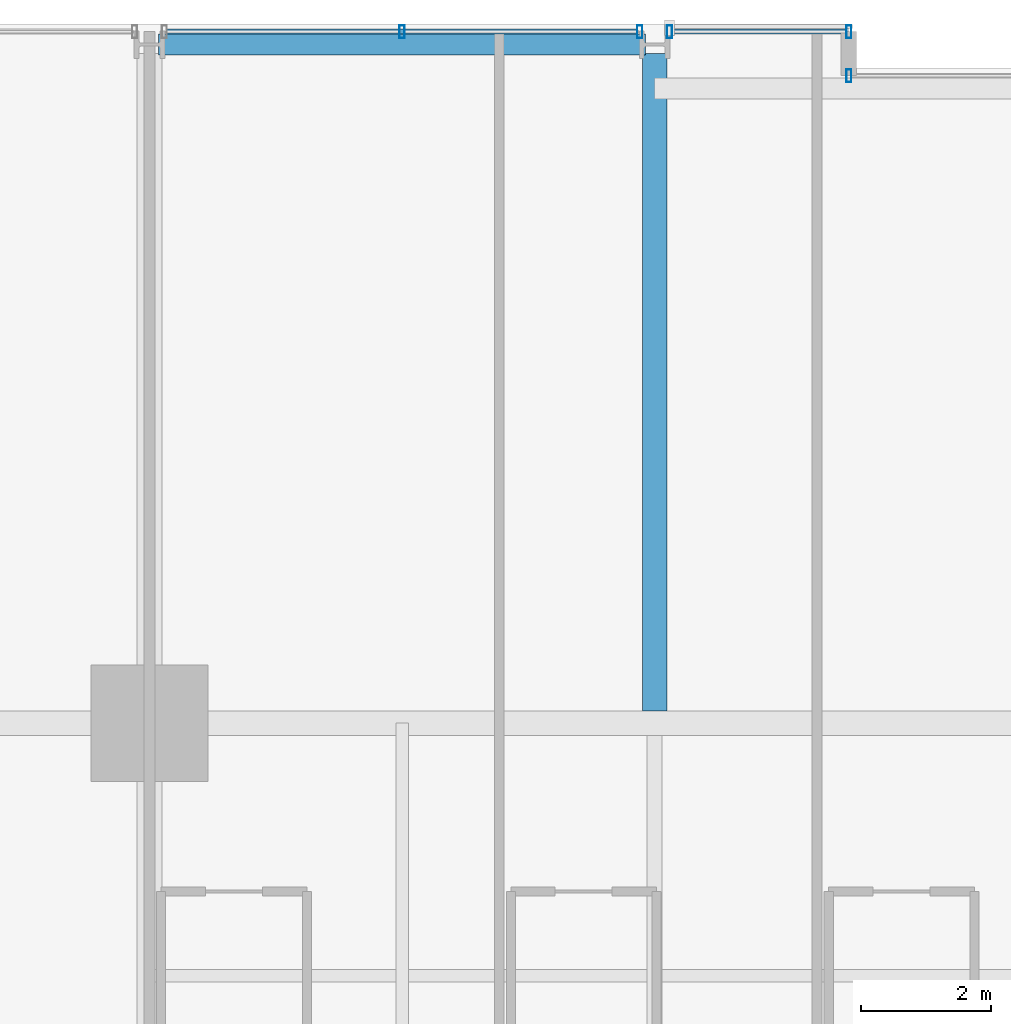
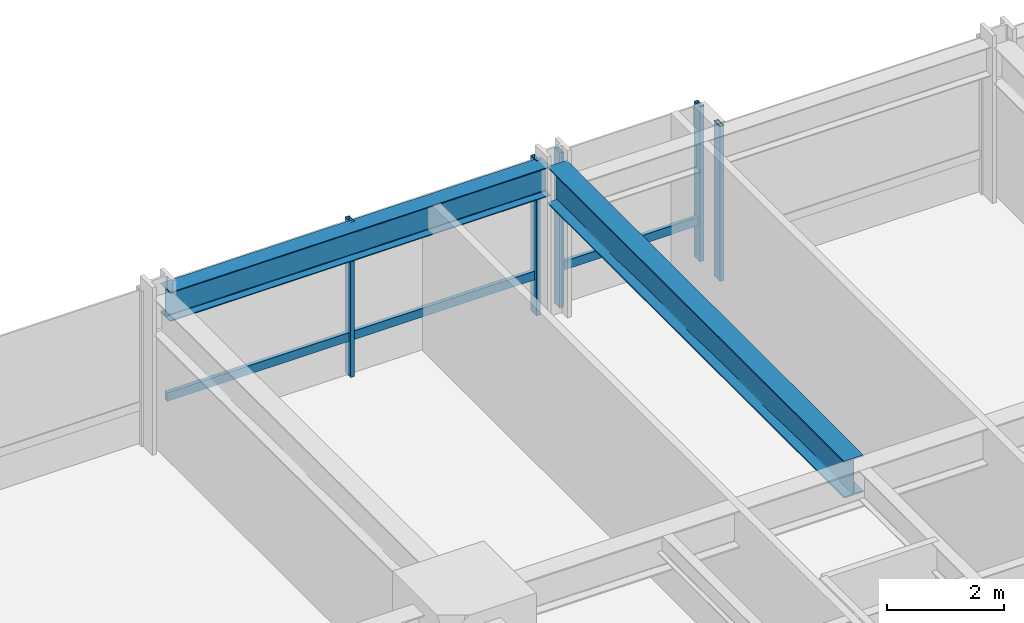
# One storey, part 22 of 38: 7 members, 2 beams, 3 elements without a shape of their own.
"""IFC4 building model written with IfcOpenShell, lengths in metres."""

from ifc_helpers import new_model, si_unit, direction, frame, origin, origin_2d, place, context, subcontext, project, spatial, hollow_rectangle, i_section, extrude, material, layer, layer_set, material_profile, profile_set, type_object, element, aggregate, save


model = new_model("IFC4")

# Units and contexts
model_context = context("Model", 3, precision=1e-05, world=origin(), true_north=direction((0.0, 1.0)))
body_context = subcontext(model_context, "Body", "Model", "MODEL_VIEW")
ifc_project = project(units=[si_unit("LENGTHUNIT", "METRE"), si_unit("AREAUNIT", "SQUARE_METRE"), si_unit("VOLUMEUNIT", "CUBIC_METRE"), si_unit("PLANEANGLEUNIT", "RADIAN"), si_unit("MASSUNIT", "GRAM", prefix="KILO")], contexts=[model_context])

# Site, building, storey
site_placement = place(None, origin())
site = spatial("IfcSite", under=ifc_project, at=site_placement, CompositionType="ELEMENT")
building_placement = place(site_placement, origin())
building = spatial("IfcBuilding", under=site, at=building_placement, Name="Drelvath Grand Hotel", CompositionType="ELEMENT")
storey_placement = place(building_placement, frame((0.0, 0.0, 68.199951171875)))
storey = spatial("IfcBuildingStorey", under=building, at=storey_placement, Name="L16", CompositionType="ELEMENT", Elevation=68.199951171875)

# Curtain wall, member
ifc_material_1 = material(Name="Warm Bronze Anodised Aluminium Frame", Category="aluminium")
ifc_layer = layer(ifc_material_1, 0.199951171875)
ifc_layer_set = layer_set([ifc_layer], Name="Warm Bronze Anodised Aluminium Frame")
curtain_wall_type = type_object("IfcCurtainWallType", Name="Stick Curtain Wall CW-02 Warm Bronze Low-Rise", PredefinedType="NOTDEFINED", material=ifc_layer_set)
curtain_wall_1_placement = place(storey_placement, origin())
curtain_wall_1 = element("IfcCurtainWall", 1, at=curtain_wall_1_placement, inside=storey, type_object=curtain_wall_type, Name="L16 CW-02 Curtain Wall CW02-L16-NW2", PredefinedType="NOTDEFINED")
ifc_material_profile_1 = material_profile(ifc_material_1, hollow_rectangle(XDim=0.074951171875, YDim=0.179931640625, WallThickness=0.0048828125, at=origin_2d()), Name="HSS180X75X5")
ifc_profile_set_1 = profile_set([ifc_material_profile_1], Name="Warm Bronze Anodised Aluminium Frame")
member_type_1 = type_object("IfcMemberType", Name="Curtain Wall Horizontal Transom CW-02 HSS180X75X5", PredefinedType="USERDEFINED", material=ifc_profile_set_1)
member_1_placement = place(storey_placement, frame((-15.930908203125, 53.8798828125, 0.81005859375), z_axis=(1.0, 0.0, 0.0), x_axis=(0.0, 1.0, 0.0)))
member_1 = element("IfcMember", 2, at=member_1_placement, type_object=member_type_1, Name="CW02-L16-NW2 Sill Transom", ObjectType="TRANSOM", PredefinedType="USERDEFINED", context=body_context, shape_type="SweptSolid", body=[
    extrude(hollow_rectangle(XDim=0.074951171875, YDim=0.179931640625, WallThickness=0.0048828125, at=origin_2d()), origin(), (0.0, 0.0, 1.0), 7.26171875),
])

curtain_wall_2_placement = place(storey_placement, origin())
curtain_wall_2 = element("IfcCurtainWall", 3, at=curtain_wall_2_placement, inside=storey, type_object=curtain_wall_type, Name="L16 CW-02 Curtain Wall CW02-L16-NW3", PredefinedType="NOTDEFINED")
member_2_placement = place(storey_placement, frame((-8.130859375, 53.8798828125, 0.81005859375), z_axis=(1.0, 0.0, 0.0), x_axis=(0.0, 1.0, 0.0)))
member_2 = element("IfcMember", 4, at=member_2_placement, type_object=member_type_1, Name="CW02-L16-NW3 Sill Transom", ObjectType="TRANSOM", PredefinedType="USERDEFINED", context=body_context, shape_type="SweptSolid", body=[
    extrude(hollow_rectangle(XDim=0.074951171875, YDim=0.179931640625, WallThickness=0.0048828125, at=origin_2d()), origin(), (0.0, 0.0, 1.0), 2.69091796875),
])

# Member
ifc_material_profile_2 = material_profile(ifc_material_1, hollow_rectangle(XDim=0.080078125, YDim=0.199951171875, WallThickness=0.0048828125, at=origin_2d()), Name="HSS200X80X5")
ifc_profile_set_2 = profile_set([ifc_material_profile_2], Name="Warm Bronze Anodised Aluminium Frame")
member_type_2 = type_object("IfcMemberType", Name="Curtain Wall Vertical Mullion CW-02 HSS200X80X5", PredefinedType="MULLION", material=ifc_profile_set_2)
member_3_placement = place(storey_placement, frame((-12.300048828125, 53.8798828125, 0.0), z_axis=(0.0, 0.0, 1.0), x_axis=(1.0, 0.0, 0.0)))
member_3 = element("IfcMember", 5, at=member_3_placement, type_object=member_type_2, Name="CW02-L16-NW2 Mullion 2", PredefinedType="MULLION", context=body_context, shape_type="SweptSolid", body=[
    extrude(hollow_rectangle(XDim=0.080078125, YDim=0.199951171875, WallThickness=0.0048828125, at=origin_2d()), origin(), (0.0, 0.0, 1.0), 3.239990234375),
])

member_4_placement = place(storey_placement, frame((-8.629150390625, 53.8798828125, 0.0), z_axis=(0.0, 0.0, 1.0), x_axis=(1.0, 0.0, 0.0)))
member_4 = element("IfcMember", 6, at=member_4_placement, type_object=member_type_2, Name="CW02-L16-NW2 Mullion 3", PredefinedType="MULLION", context=body_context, shape_type="SweptSolid", body=[
    extrude(hollow_rectangle(XDim=0.080078125, YDim=0.199951171875, WallThickness=0.0048828125, at=origin_2d()), origin(), (0.0, 0.0, 1.0), 3.239990234375),
])

aggregate(curtain_wall_1, [member_3, member_4, member_1])

member_5_placement = place(storey_placement, frame((-8.1708984375, 53.8798828125, 0.0), z_axis=(0.0, 0.0, 1.0), x_axis=(1.0, 0.0, 0.0)))
member_5 = element("IfcMember", 7, at=member_5_placement, type_object=member_type_2, Name="CW02-L16-NW3 Mullion 1", PredefinedType="MULLION", context=body_context, shape_type="SweptSolid", body=[
    extrude(hollow_rectangle(XDim=0.080078125, YDim=0.199951171875, WallThickness=0.0048828125, at=origin_2d()), origin(), (0.0, 0.0, 1.0), 3.239990234375),
])

member_6_placement = place(storey_placement, frame((-5.39990234375, 53.8798828125, 0.0), z_axis=(0.0, 0.0, 1.0), x_axis=(1.0, 0.0, 0.0)))
member_6 = element("IfcMember", 8, at=member_6_placement, type_object=member_type_2, Name="CW02-L16-NW3 Mullion 2", PredefinedType="MULLION", context=body_context, shape_type="SweptSolid", body=[
    extrude(hollow_rectangle(XDim=0.080078125, YDim=0.199951171875, WallThickness=0.0048828125, at=origin_2d()), origin(), (0.0, 0.0, 1.0), 3.239990234375),
])

aggregate(curtain_wall_2, [member_5, member_6, member_2])

# Curtain wall, member
curtain_wall_3_placement = place(storey_placement, origin())
curtain_wall_3 = element("IfcCurtainWall", 9, at=curtain_wall_3_placement, inside=storey, type_object=curtain_wall_type, Name="L16 CW-02 Curtain Wall CW02-L16-NM1", PredefinedType="NOTDEFINED")
member_7_placement = place(storey_placement, frame((-5.39990234375, 53.199951171875, 0.0), z_axis=(0.0, 0.0, 1.0), x_axis=(1.0, 0.0, 0.0)))
member_7 = element("IfcMember", 10, at=member_7_placement, type_object=member_type_2, Name="CW02-L16-NM1 Mullion 1", PredefinedType="MULLION", context=body_context, shape_type="SweptSolid", body=[
    extrude(hollow_rectangle(XDim=0.080078125, YDim=0.199951171875, WallThickness=0.0048828125, at=origin_2d()), origin(), (0.0, 0.0, 1.0), 3.239990234375),
])
aggregate(curtain_wall_3, [member_7])

# Beams
ifc_material_2 = material(Name="Steel ASTM A992 Gr 50", Category="steel")
ifc_material_profile_3 = material_profile(ifc_material_2, i_section(OverallWidth=0.323974609375, OverallDepth=0.611083984375, WebThickness=0.0126953125, FlangeThickness=0.01904296875, FilletRadius=0.02197265625, at=origin_2d()), Name="W24X104")
ifc_profile_set_3 = profile_set([ifc_material_profile_3], Name="Steel ASTM A992 Gr 50")
beam_type_1 = type_object("IfcBeamType", Name="Perimeter Spandrel Beam W24X104", PredefinedType="SPANDREL", material=ifc_profile_set_3)
beam_1_placement = place(storey_placement, frame((-16.06005859375, 53.679931640625, 2.9345703125), z_axis=(1.0, 0.0, 0.0), x_axis=(0.0, 1.0, 0.0)))
element("IfcBeam", 11, at=beam_1_placement, inside=storey, type_object=beam_type_1, Name="L16 Spandrel North W", PredefinedType="SPANDREL", context=body_context, shape_type="SweptSolid", body=[
    extrude(i_section(OverallWidth=0.323974609375, OverallDepth=0.611083984375, WebThickness=0.0126953125, FlangeThickness=0.01904296875, FilletRadius=0.02197265625, at=origin_2d()), origin(), (0.0, 0.0, 1.0), 7.52001953125),
])
ifc_material_profile_4 = material_profile(ifc_material_2, i_section(OverallWidth=0.380615234375, OverallDepth=0.773193359375, WebThickness=0.0166015625, FlangeThickness=0.027099609375, FilletRadius=0.02490234375, at=origin_2d()), Name="W30X173")
ifc_profile_set_4 = profile_set([ifc_material_profile_4], Name="Steel ASTM A992 Gr 50")
beam_type_2 = type_object("IfcBeamType", Name="Primary Floor Girder W30X173", PredefinedType="BEAM", material=ifc_profile_set_4)
beam_2_placement = place(storey_placement, frame((-8.39990234375, 43.390380859375, 2.853515625), z_axis=(0.0, 1.0, 0.0), x_axis=(-1.0, 0.0, 0.0)))
element("IfcBeam", 12, at=beam_2_placement, inside=storey, type_object=beam_type_2, Name="L16 North Wing Girder 4", PredefinedType="BEAM", context=body_context, shape_type="SweptSolid", body=[
    extrude(i_section(OverallWidth=0.380615234375, OverallDepth=0.773193359375, WebThickness=0.0166015625, FlangeThickness=0.027099609375, FilletRadius=0.02490234375, at=origin_2d()), origin(), (0.0, 0.0, 1.0), 10.149658203125),
])

save(model, "model.ifc")
